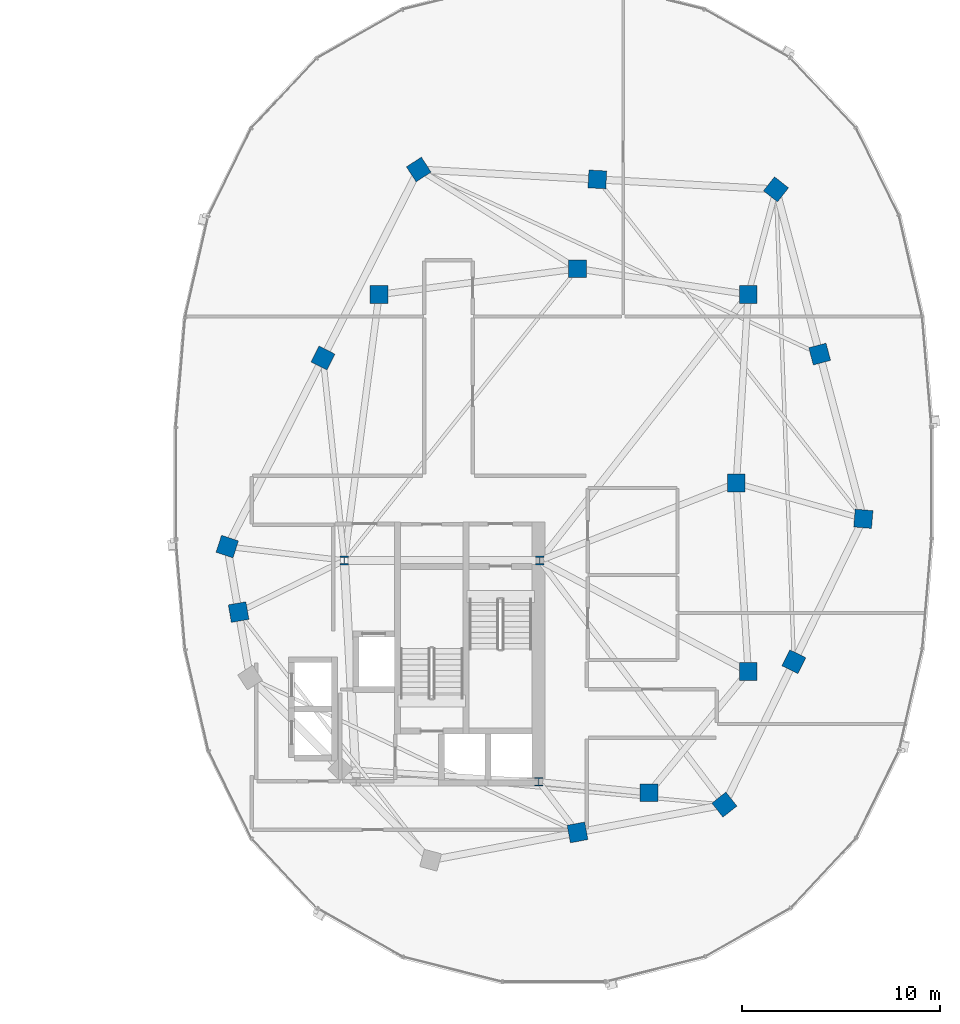
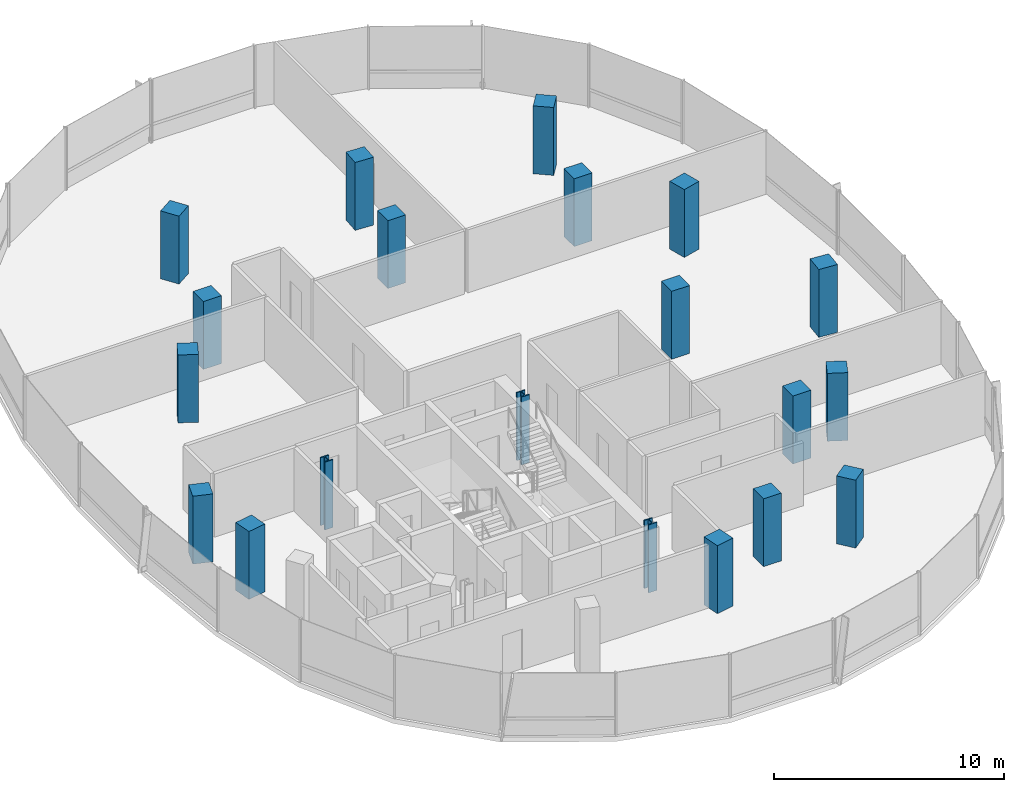
# One storey, part 2 of 25: 20 columns.
"""IFC4 building model written with IfcOpenShell, lengths in metres."""

from ifc_helpers import new_model, si_unit, direction, frame, origin, origin_2d, place, context, subcontext, project, spatial, rectangle, i_section, extrude, material, material_profile, profile_set, type_object, element, save


model = new_model("IFC4")

# Units and contexts
model_context = context("Model", 3, precision=1e-05, world=origin(), true_north=direction((0.0, 1.0)))
body_context = subcontext(model_context, "Body", "Model", "MODEL_VIEW")
ifc_project = project(units=[si_unit("LENGTHUNIT", "METRE"), si_unit("AREAUNIT", "SQUARE_METRE"), si_unit("VOLUMEUNIT", "CUBIC_METRE"), si_unit("PLANEANGLEUNIT", "RADIAN"), si_unit("MASSUNIT", "GRAM", prefix="KILO"), si_unit("THERMODYNAMICTEMPERATUREUNIT", "KELVIN"), si_unit("POWERUNIT", "WATT")], contexts=[model_context])

# Site, building, storey
site_placement = place(None, origin())
site = spatial("IfcSite", under=ifc_project, at=site_placement, CompositionType="ELEMENT")
building_placement = place(site_placement, origin())
building = spatial("IfcBuilding", under=site, at=building_placement, Name="Cundina Bronze Exchange", CompositionType="ELEMENT")
storey_placement = place(building_placement, frame((0.0, 0.0, 202.60009765625)))
storey = spatial("IfcBuildingStorey", under=building, at=storey_placement, Name="L53", CompositionType="ELEMENT", Elevation=202.60009765625)

# Columns
ifc_material_1 = material(Name="Steel ASTM A992 Grade 50", Category="steel")
ifc_material_profile_1 = material_profile(ifc_material_1, i_section(OverallWidth=0.416015625, OverallDepth=0.446044921875, WebThickness=0.0390625, FlangeThickness=0.062744140625, FilletRadius=0.01806640625, at=origin_2d()), Name="W14X342", Category="steel")
ifc_profile_set_1 = profile_set([ifc_material_profile_1], Name="Steel ASTM A992 Grade 50")
column_type_1 = type_object("IfcColumnType", Name="COL-STL-W14B", PredefinedType="COLUMN", material=ifc_profile_set_1)
for number, where, z_axis, x_axis, name in (
    (1, (31.300048828125, -3.89990234375, 0.0), (0.0, 0.0, 1.0), (1.0, 0.0, 0.0), "L53 Core Anchor Column E1"),
    (2, (21.449951171875, -3.89990234375, 0.0), (0.0, 0.0, 1.0), (1.0, 0.0, 0.0), "L53 Core Anchor Column E2"),
    (3, (31.25, -15.050048828125, 0.0), (0.0, 0.0, 1.0), (1.0, 0.0, 0.0), "L53 Core Anchor Column E4"),
):
    element("IfcColumn", number, at=place(storey_placement, frame(where, z_axis=z_axis, x_axis=x_axis)), inside=storey, type_object=column_type_1, Name=name, PredefinedType="COLUMN", context=body_context, shape_type="SweptSolid", body=[
        extrude(i_section(OverallWidth=0.416015625, OverallDepth=0.446044921875, WebThickness=0.0390625, FlangeThickness=0.062744140625, FilletRadius=0.01806640625, at=origin_2d()), origin(), (0.0, 0.0, 1.0), 3.599853515625),
    ])
ifc_material_2 = material(Name="Concrete C50/60", Category="concrete")
ifc_material_profile_2 = material_profile(ifc_material_2, rectangle(XDim=0.89990234375, YDim=0.89990234375, at=origin_2d()), Name="RC900X900", Category="concrete")
ifc_profile_set_2 = profile_set([ifc_material_profile_2], Name="Concrete C50/60")
column_type_2 = type_object("IfcColumnType", Name="COL-Z4-900", PredefinedType="COLUMN", material=ifc_profile_set_2)
for number, where, z_axis, x_axis, name in (
    (4, (41.199951171875, 0.0, 0.0), (0.0, 0.0, 1.0), (1.0, 0.0, 0.0), "L53 E Inner Ring Column 1"),
    (5, (41.800048828125, -9.5, 0.0), (0.0, 0.0, 1.0), (1.0, 0.0, 0.0), "L53 E Inner Ring Column 2"),
    (6, (36.800048828125, -15.60009765625, 0.0), (0.0, 0.0, 1.0), (1.0, 0.0, 0.0), "L53 E Inner Ring Column 3"),
    (7, (41.800048828125, 9.5, 0.0), (0.0, 0.0, 1.0), (1.0, 0.0, 0.0), "L53 E Inner Ring Column 4"),
    (8, (33.199951171875, 10.800048828125, 0.0), (0.0, 0.0, 1.0), (1.0, 0.0, 0.0), "L53 E Inner Ring Column 5"),
    (9, (23.199951171875, 9.5, 0.0), (0.0, 0.0, 1.0), (1.0, 0.0, 0.0), "L53 E Inner Ring Column 6"),
    (10, (15.550048828125, -3.199951171875, 0.0), (0.0, 0.0, 1.0), (-0.315152163383, -0.949041155016, 0.0), "L53 E Perimeter Column 00"),
    (11, (16.125, -6.5, 0.0), (0.0, 0.0, 1.0), (0.171585221787, -0.985169280715, 0.0), "L53 E Perimeter Column 01"),
    (12, (33.199951171875, -17.60009765625, 0.0), (0.0, 0.0, 1.0), (0.98258037664, 0.185838110843, 0.0), "L53 E Perimeter Column 05"),
    (13, (40.60009765625, -16.199951171875, 0.0), (0.0, 0.0, 1.0), (0.785100778485, 0.619368038909, 0.0), "L53 E Perimeter Column 06"),
    (14, (44.10009765625, -9.0, 0.0), (0.0, 0.0, 1.0), (0.437115766651, 0.899405251566, 0.0), "L53 E Perimeter Column 07"),
    (15, (47.60009765625, -1.800048828125, 0.0), (0.0, 0.0, 1.0), (0.083503921245, 0.996507448611, 0.0), "L53 E Perimeter Column 08"),
    (16, (45.39990234375, 6.5, 0.0), (0.0, 0.0, 1.0), (-0.256289373133, 0.966600102017, 0.0), "L53 E Perimeter Column 09"),
    (17, (43.199951171875, 14.800048828125, 0.0), (0.0, 0.0, 1.0), (-0.786288432137, 0.61785961309, 0.0), "L53 E Perimeter Column 10"),
    (18, (34.199951171875, 15.300048828125, 0.0), (0.0, 0.0, 1.0), (-0.998460188734, 0.055472980025, 0.0), "L53 E Perimeter Column 11"),
    (19, (25.199951171875, 15.800048828125, 0.0), (0.0, 0.0, 1.0), (-0.838099763533, -0.545516989988, 0.0), "L53 E Perimeter Column 12"),
    (20, (20.375, 6.300048828125, 0.0), (0.0, 0.0, 1.0), (-0.452901591366, -0.891560513111, 0.0), "L53 E Perimeter Column 13"),
):
    element("IfcColumn", number, at=place(storey_placement, frame(where, z_axis=z_axis, x_axis=x_axis)), inside=storey, type_object=column_type_2, Name=name, PredefinedType="COLUMN", context=body_context, shape_type="SweptSolid", body=[
        extrude(rectangle(XDim=0.89990234375, YDim=0.89990234375, at=origin_2d()), origin(), (0.0, 0.0, 1.0), 3.599853515625),
    ])

save(model, "model.ifc")
